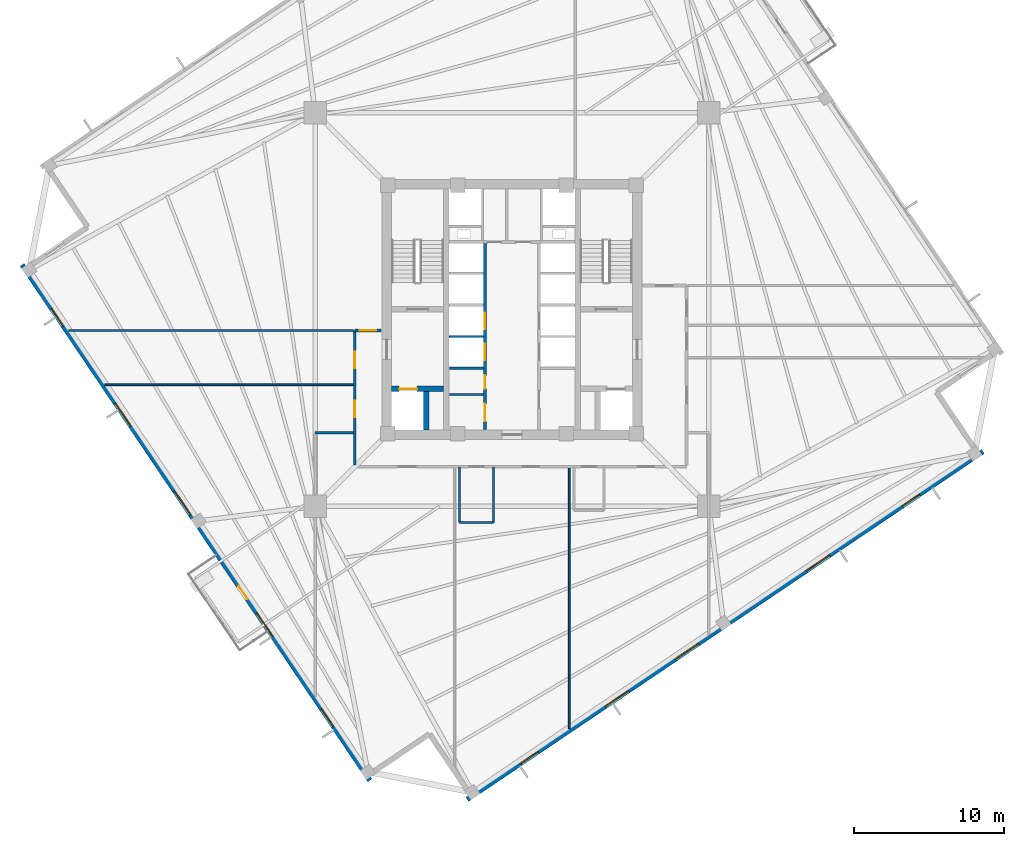
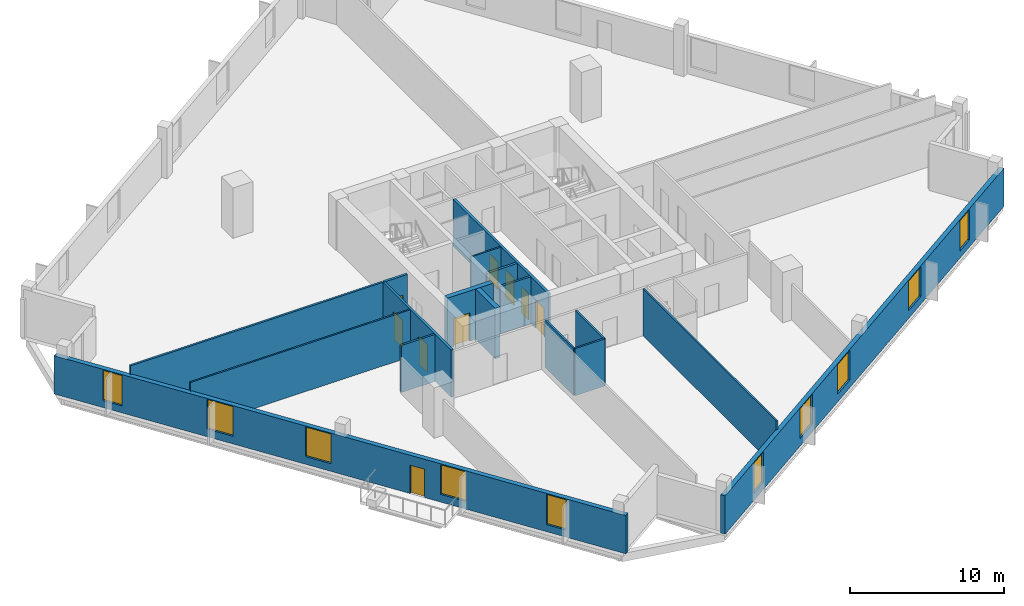
# One storey, part 3 of 9: 17 walls, 10 windows, 9 doors, 19 openings.
"""IFC4 building model written with IfcOpenShell, lengths in metres."""

from ifc_helpers import new_model, si_unit, direction, frame, frame_2d, origin, place, context, subcontext, project, spatial, rectangle, extrude, source, transform, mapped, material, layer, layer_set, type_object, element, fill, save


model = new_model("IFC4")

# Units and contexts
model_context = context("Model", 3, precision=1e-05, world=origin(), true_north=direction((0.0, 1.0)))
body_context = subcontext(model_context, "Body", "Model", "MODEL_VIEW")
ifc_project = project(units=[si_unit("LENGTHUNIT", "METRE"), si_unit("AREAUNIT", "SQUARE_METRE"), si_unit("VOLUMEUNIT", "CUBIC_METRE"), si_unit("PLANEANGLEUNIT", "RADIAN"), si_unit("MASSUNIT", "GRAM", prefix="KILO"), si_unit("THERMODYNAMICTEMPERATUREUNIT", "KELVIN")], contexts=[model_context])

# Site, building, storey
site_placement = place(None, origin())
site = spatial("IfcSite", under=ifc_project, at=site_placement, CompositionType="ELEMENT")
building_placement = place(site_placement, origin())
building = spatial("IfcBuilding", under=site, at=building_placement, Name="Kosmvard Interchange Tower", CompositionType="ELEMENT")
storey_placement = place(building_placement, frame((0.0, 0.0, 168.39990234375)))
storey = spatial("IfcBuildingStorey", under=building, at=storey_placement, Name="L40", CompositionType="ELEMENT", Elevation=168.39990234375)

# Walls
ifc_material_1 = material(Name="Acoustic gypsum partition system")
ifc_layer_1 = layer(ifc_material_1, 0.14990234375, Name="Acoustic gypsum partition system")
ifc_layer_set_1 = layer_set([ifc_layer_1], Name="Acoustic gypsum partition system")
wall_type_1 = type_object("IfcWallType", Name="Acoustic Suite & Meeting Partition 150", PredefinedType="PARTITIONING", material=ifc_layer_set_1)
wall_1_placement = place(storey_placement, frame((-29.482421875, -1.39990234375, 0.0), z_axis=(0.0, 0.0, 1.0), x_axis=(1.0, 0.0, 0.0)))
element("IfcWall", 1, at=wall_1_placement, inside=storey, type_object=wall_type_1, Name="L40 Room Partition 02.1", PredefinedType="PARTITIONING", context=body_context, shape_type="SweptSolid", body=[
    extrude(rectangle(XDim=18.9375, YDim=0.14990234375, at=frame_2d((9.46875, 0.0))), origin(), (0.0, 0.0, 1.0), 3.739990234375),
])
wall_2_placement = place(storey_placement, frame((-10.544921875, -8.199951171875, 0.0), z_axis=(0.0, 0.0, 1.0), x_axis=(-1.0, 0.0, 0.0)))
element("IfcWall", 2, at=wall_2_placement, inside=storey, type_object=wall_type_1, Name="L40 Room Partition 05.1", PredefinedType="PARTITIONING", context=body_context, shape_type="SweptSolid", body=[
    extrude(rectangle(XDim=2.5361328125, YDim=0.14990234375, at=frame_2d((1.26806640625, 0.0))), origin(), (0.0, 0.0, 1.0), 3.739990234375),
])
ifc_material_2 = material(Name="Fire-rated gypsum partition system")
ifc_layer_2 = layer(ifc_material_2, 0.159912109375, Name="Fire-rated gypsum partition system")
ifc_layer_set_2 = layer_set([ifc_layer_2], Name="Fire-rated gypsum partition system")
wall_type_2 = type_object("IfcWallType", Name="Core Compartment & Shuttle Lobby Partition 160", PredefinedType="PARTITIONING", material=ifc_layer_set_2)
wall_3_placement = place(storey_placement, frame((-4.169921875, -5.64990234375, 0.0), z_axis=(0.0, 0.0, 1.0), x_axis=(1.0, 0.0, 0.0)))
element("IfcWall", 3, at=wall_3_placement, inside=storey, type_object=wall_type_2, Name="L40 Reclaimed Split W", PredefinedType="PARTITIONING", context=body_context, shape_type="SweptSolid", body=[
    extrude(rectangle(XDim=2.280029296875, YDim=0.159912109375, at=frame_2d((1.14013671875, 0.0))), origin(), (0.0, 0.0, 1.0), 3.739990234375),
])

# Wall, openings, doors
ifc_layer_3 = layer(ifc_material_2, 0.179931640625, Name="Fire-rated gypsum partition system")
ifc_layer_set_3 = layer_set([ifc_layer_3], Name="Fire-rated gypsum partition system")
wall_type_3 = type_object("IfcWallType", Name="Corridor & Hotel Compartment Partition 180", PredefinedType="PARTITIONING", material=ifc_layer_set_3)
wall_4_placement = place(storey_placement, frame((-1.7900390625, -7.97998046875, 0.0), z_axis=(0.0, 0.0, 1.0), x_axis=(0.0, 1.0, 0.0)))
wall_4 = element("IfcWall", 4, at=wall_4_placement, inside=storey, type_object=wall_type_3, Name="L40 West Lift Bank Front Wall", PredefinedType="PARTITIONING", context=body_context, shape_type="SweptSolid", body=[
    extrude(rectangle(XDim=12.3798828125, YDim=0.179931640625, at=frame_2d((6.18994140625, 0.0))), origin(), (0.0, 0.0, 1.0), 3.739990234375),
])
opening_1_placement = place(wall_4_placement, frame((4.60009765625, 0.0, 0.0)))
opening_1 = element("IfcOpeningElement", 5, at=opening_1_placement, cuts=wall_4, Name="Opening LD-PL-M1-L40", PredefinedType="OPENING", context=body_context, shape_type="SweptSolid", body=[
    extrude(rectangle(XDim=1.10009765625, YDim=2.199951171875, at=frame_2d((0.550048828125, 1.10009765625))), frame((0.0, 0.10009765625, 0.0), z_axis=(0.0, -1.0, 0.0), x_axis=(1.0, 0.0, 0.0)), (0.0, 0.0, 1.0), 0.199951171875),
])
opening_2_placement = place(wall_4_placement, frame((6.659912109375, 0.0, 0.0)))
opening_2 = element("IfcOpeningElement", 6, at=opening_2_placement, cuts=wall_4, Name="Opening LD-PL-M2-L40", PredefinedType="OPENING", context=body_context, shape_type="SweptSolid", body=[
    extrude(rectangle(XDim=1.10009765625, YDim=2.199951171875, at=frame_2d((0.550048828125, 1.10009765625))), frame((0.0, 0.10009765625, 0.0), z_axis=(0.0, -1.0, 0.0), x_axis=(1.0, 0.0, 0.0)), (0.0, 0.0, 1.0), 0.199951171875),
])
opening_3_placement = place(wall_4_placement, frame((0.550048828125, 0.0, 0.0)))
opening_3 = element("IfcOpeningElement", 7, at=opening_3_placement, cuts=wall_4, Name="Opening L40-CD1", PredefinedType="OPENING", context=body_context, shape_type="SweptSolid", body=[
    extrude(rectangle(XDim=1.14990234375, YDim=2.25, at=frame_2d((0.574951171875, 1.125))), frame((0.0, 0.10009765625, 0.0), z_axis=(0.0, -1.0, 0.0), x_axis=(1.0, 0.0, 0.0)), (0.0, 0.0, 1.0), 0.199951171875),
])
opening_4_placement = place(wall_4_placement, frame((2.719970703125, 0.0, 0.0)))
opening_4 = element("IfcOpeningElement", 8, at=opening_4_placement, cuts=wall_4, Name="Opening L40-CD2", PredefinedType="OPENING", context=body_context, shape_type="SweptSolid", body=[
    extrude(rectangle(XDim=0.8798828125, YDim=2.10009765625, at=frame_2d((0.43994140625, 1.050048828125))), frame((0.0, 0.10009765625, 0.0), z_axis=(0.0, -1.0, 0.0), x_axis=(1.0, 0.0, 0.0)), (0.0, 0.0, 1.0), 0.199951171875),
])
ifc_material_3 = material(Name="Painted fire-rated steel leaf", Category="steel")
door_type_1 = type_object("IfcDoorType", Name="Plant & Riser Fire Door 1150x2250 EI60", OperationType="NOTDEFINED", PredefinedType="DOOR", material=ifc_material_3)
shared_shape_1 = source(origin(), body_context, "Body", "SweptSolid", [
    extrude(rectangle(XDim=1.14990234375, YDim=2.25, at=frame_2d((0.574951171875, 1.125))), frame((0.0, 0.02490234375, 0.0), z_axis=(0.0, -1.0, 0.0), x_axis=(1.0, 0.0, 0.0)), (0.0, 0.0, 1.0), 0.050048828125),
])
door_1_placement = place(opening_3_placement, origin())
door_1 = element("IfcDoor", 9, at=door_1_placement, inside=storey, type_object=door_type_1, Name="L40 Core Archive Door", OperationType="SINGLE_SWING_LEFT", OverallHeight=2.25, OverallWidth=1.14990234375, PredefinedType="DOOR", context=body_context, shape_type="MappedRepresentation", body=[
    mapped(shared_shape_1, transform((0.0, 0.0, 0.0), scale=1.0)),
])
fill(opening_3, door_1)
ifc_material_4 = material(Name="Brushed stainless steel sliding leaf", Category="steel")
door_type_2 = type_object("IfcDoorType", Name="Passenger Lift Sliding Landing Door 1100x2200 EI60", OperationType="DOUBLE_DOOR_SLIDING", PredefinedType="DOOR", material=ifc_material_4)
shared_shape_2 = source(origin(), body_context, "Body", "SweptSolid", [
    extrude(rectangle(XDim=1.10009765625, YDim=2.199951171875, at=frame_2d((0.550048828125, 1.10009765625))), frame((0.0, 0.02490234375, 0.0), z_axis=(0.0, -1.0, 0.0), x_axis=(1.0, 0.0, 0.0)), (0.0, 0.0, 1.0), 0.050048828125),
])
door_2_placement = place(opening_1_placement, frame((1.10009765625, 0.0, 0.0), z_axis=(0.0, 0.0, 1.0), x_axis=(-1.0, 0.0, 0.0)))
door_2 = element("IfcDoor", 10, at=door_2_placement, inside=storey, type_object=door_type_2, Name="Lift PL-M1 Landing Door L40", OperationType="DOUBLE_DOOR_SLIDING", OverallHeight=2.199951171875, OverallWidth=1.10009765625, PredefinedType="DOOR", context=body_context, shape_type="MappedRepresentation", body=[
    mapped(shared_shape_2, transform((0.0, 0.0, 0.0), scale=1.0)),
])
fill(opening_1, door_2)
door_3_placement = place(opening_2_placement, frame((1.10009765625, 0.0, 0.0), z_axis=(0.0, 0.0, 1.0), x_axis=(-1.0, 0.0, 0.0)))
door_3 = element("IfcDoor", 11, at=door_3_placement, inside=storey, type_object=door_type_2, Name="Lift PL-M2 Landing Door L40", OperationType="DOUBLE_DOOR_SLIDING", OverallHeight=2.199951171875, OverallWidth=1.10009765625, PredefinedType="DOOR", context=body_context, shape_type="MappedRepresentation", body=[
    mapped(shared_shape_2, transform((0.0, 0.0, 0.0), scale=1.0)),
])
fill(opening_2, door_3)
ifc_material_5 = material(Name="Painted fire-rated timber leaf", Category="wood")
door_type_3 = type_object("IfcDoorType", Name="Core Cupboard Fire Door 880x2100 EI30", OperationType="NOTDEFINED", PredefinedType="DOOR", material=ifc_material_5)
shared_shape_3 = source(origin(), body_context, "Body", "SweptSolid", [
    extrude(rectangle(XDim=0.8798828125, YDim=2.10009765625, at=frame_2d((0.43994140625, 1.050048828125))), frame((0.0, 0.02490234375, 0.0), z_axis=(0.0, -1.0, 0.0), x_axis=(1.0, 0.0, 0.0)), (0.0, 0.0, 1.0), 0.050048828125),
])
door_4_placement = place(opening_4_placement, origin())
door_4 = element("IfcDoor", 12, at=door_4_placement, inside=storey, type_object=door_type_3, Name="L40 Core Supplies Door", OperationType="SINGLE_SWING_RIGHT", OverallHeight=2.10009765625, OverallWidth=0.8798828125, PredefinedType="DOOR", context=body_context, shape_type="MappedRepresentation", body=[
    mapped(shared_shape_3, transform((0.0, 0.0, 0.0), scale=1.0)),
])
fill(opening_4, door_4)

wall_5_placement = place(storey_placement, frame((-10.449951171875, -10.35009765625, 0.0), z_axis=(0.0, 0.0, 1.0), x_axis=(0.0, 1.0, 0.0)))
wall_5 = element("IfcWall", 13, at=wall_5_placement, inside=storey, type_object=wall_type_3, Name="L40 Corridor Wall CW", PredefinedType="PARTITIONING", context=body_context, shape_type="SweptSolid", body=[
    extrude(rectangle(XDim=8.9501953125, YDim=0.179931640625, at=frame_2d((4.47509765625, 0.0))), origin(), (0.0, 0.0, 1.0), 3.739990234375),
])
opening_5_placement = place(wall_5_placement, frame((6.435546875, 0.0, 0.0)))
opening_5 = element("IfcOpeningElement", 14, at=opening_5_placement, cuts=wall_5, Name="Opening L40-D06", PredefinedType="OPENING", context=body_context, shape_type="SweptSolid", body=[
    extrude(rectangle(XDim=1.10009765625, YDim=2.199951171875, at=frame_2d((0.550048828125, 1.10009765625))), frame((0.0, 0.10009765625, 0.0), z_axis=(0.0, -1.0, 0.0), x_axis=(1.0, 0.0, 0.0)), (0.0, 0.0, 1.0), 0.199951171875),
])
opening_6_placement = place(wall_5_placement, frame((3.199951171875, 0.0, 0.0)))
opening_6 = element("IfcOpeningElement", 15, at=opening_6_placement, cuts=wall_5, Name="Opening L40-D07", PredefinedType="OPENING", context=body_context, shape_type="SweptSolid", body=[
    extrude(rectangle(XDim=1.10009765625, YDim=2.199951171875, at=frame_2d((0.550048828125, 1.10009765625))), frame((0.0, 0.10009765625, 0.0), z_axis=(0.0, -1.0, 0.0), x_axis=(1.0, 0.0, 0.0)), (0.0, 0.0, 1.0), 0.199951171875),
])
ifc_material_6 = material(Name="Engineered oak fire-rated timber", Category="wood")
door_type_4 = type_object("IfcDoorType", Name="Office Suite Entrance Door 1100x2200 FD30S", OperationType="NOTDEFINED", PredefinedType="DOOR", material=ifc_material_6)
door_5_placement = place(opening_5_placement, origin())
door_5 = element("IfcDoor", 16, at=door_5_placement, inside=storey, type_object=door_type_4, Name="L40 Secure Data Tape Store Door", OperationType="SINGLE_SWING_RIGHT", OverallHeight=2.199951171875, OverallWidth=1.10009765625, PredefinedType="DOOR", context=body_context, shape_type="MappedRepresentation", body=[
    mapped(shared_shape_2, transform((0.0, 0.0, 0.0), scale=1.0)),
])
fill(opening_5, door_5)
door_6_placement = place(opening_6_placement, origin())
door_6 = element("IfcDoor", 17, at=door_6_placement, inside=storey, type_object=door_type_4, Name="L40 Print Supply Store Door", OperationType="SINGLE_SWING_LEFT", OverallHeight=2.199951171875, OverallWidth=1.10009765625, PredefinedType="DOOR", context=body_context, shape_type="MappedRepresentation", body=[
    mapped(shared_shape_2, transform((0.0, 0.0, 0.0), scale=1.0)),
])
fill(opening_6, door_6)

# Wall, opening, door
wall_6_placement = place(storey_placement, frame((-10.449951171875, -1.39990234375, 0.0), z_axis=(0.0, 0.0, 1.0), x_axis=(1.0, 0.0, 0.0)))
wall_6 = element("IfcWall", 18, at=wall_6_placement, inside=storey, type_object=wall_type_3, Name="L40 Corridor Wall CNW", PredefinedType="PARTITIONING", context=body_context, shape_type="SweptSolid", body=[
    extrude(rectangle(XDim=1.75, YDim=0.179931640625, at=frame_2d((0.875, 0.0))), origin(), (0.0, 0.0, 1.0), 3.739990234375),
])
opening_7_placement = place(wall_6_placement, frame((0.324951171875, 0.0, 0.0)))
opening_7 = element("IfcOpeningElement", 19, at=opening_7_placement, cuts=wall_6, Name="Opening L40-D03", PredefinedType="OPENING", context=body_context, shape_type="SweptSolid", body=[
    extrude(rectangle(XDim=1.10009765625, YDim=2.199951171875, at=frame_2d((0.550048828125, 1.10009765625))), frame((0.0, 0.10009765625, 0.0), z_axis=(0.0, -1.0, 0.0), x_axis=(1.0, 0.0, 0.0)), (0.0, 0.0, 1.0), 0.199951171875),
])
door_7_placement = place(opening_7_placement, origin())
door_7 = element("IfcDoor", 20, at=door_7_placement, inside=storey, type_object=door_type_4, Name="L40 Trade Exchange Lecture Hall Door", OperationType="SINGLE_SWING_LEFT", OverallHeight=2.199951171875, OverallWidth=1.10009765625, PredefinedType="DOOR", context=body_context, shape_type="MappedRepresentation", body=[
    mapped(shared_shape_2, transform((0.0, 0.0, 0.0), scale=1.0)),
])
fill(opening_7, door_7)

# Wall, openings, windows
ifc_material_7 = material(Name="Precast concrete C45/55", Category="concrete")
ifc_layer_4 = layer(ifc_material_7, 0.340087890625, Name="Precast concrete C45/55")
ifc_layer_set_4 = layer_set([ifc_layer_4], Name="Precast concrete C45/55")
wall_type_4 = type_object("IfcWallType", Name="Mid Tower Precast Pier Wall 340 C45/55", PredefinedType="STANDARD", material=ifc_layer_set_4)
wall_7_placement = place(storey_placement, frame((-2.971923828125, -32.55810546875, 0.0), z_axis=(0.0, 0.0, 1.0), x_axis=(0.829036218961, 0.559194910251, 0.0)))
wall_7 = element("IfcWall", 21, at=wall_7_placement, inside=storey, type_object=wall_type_4, Name="L40 Precast Facade Wall F-S", PredefinedType="STANDARD", context=body_context, shape_type="SweptSolid", body=[
    extrude(rectangle(XDim=41.340087890625, YDim=0.340087890625, at=frame_2d((20.669921875, 0.0))), origin(), (0.0, 0.0, 1.0), 3.0400390625),
])
opening_8_placement = place(wall_7_placement, frame((4.2607421875, 0.0, 0.56005859375)))
opening_8 = element("IfcOpeningElement", 22, at=opening_8_placement, cuts=wall_7, Name="Opening L40-W01", PredefinedType="OPENING", context=body_context, shape_type="SweptSolid", body=[
    extrude(rectangle(XDim=1.39990234375, YDim=2.39990234375, at=frame_2d((0.699951171875, 1.199951171875))), frame((0.0, 0.18017578125, 0.0), z_axis=(0.0, -1.0, 0.0), x_axis=(1.0, 0.0, 0.0)), (0.0, 0.0, 1.0), 0.360107421875),
])
opening_9_placement = place(wall_7_placement, frame((11.063720703125, 0.0, 0.610107421875)))
opening_9 = element("IfcOpeningElement", 23, at=opening_9_placement, cuts=wall_7, Name="Opening L40-W02", PredefinedType="OPENING", context=body_context, shape_type="SweptSolid", body=[
    extrude(rectangle(XDim=1.85009765625, YDim=2.35009765625, at=frame_2d((0.925048828125, 1.175048828125))), frame((0.0, 0.18017578125, 0.0), z_axis=(0.0, -1.0, 0.0), x_axis=(1.0, 0.0, 0.0)), (0.0, 0.0, 1.0), 0.360107421875),
])
opening_10_placement = place(wall_7_placement, frame((16.668212890625, 0.0, 0.610107421875)))
opening_10 = element("IfcOpeningElement", 24, at=opening_10_placement, cuts=wall_7, Name="Opening L40-W03", PredefinedType="OPENING", context=body_context, shape_type="SweptSolid", body=[
    extrude(rectangle(XDim=1.85009765625, YDim=2.35009765625, at=frame_2d((0.925048828125, 1.175048828125))), frame((0.0, 0.18017578125, 0.0), z_axis=(0.0, -1.0, 0.0), x_axis=(1.0, 0.0, 0.0)), (0.0, 0.0, 1.0), 0.360107421875),
])
opening_11_placement = place(wall_7_placement, frame((27.186279296875, 0.0, 0.610107421875)))
opening_11 = element("IfcOpeningElement", 25, at=opening_11_placement, cuts=wall_7, Name="Opening L40-W04", PredefinedType="OPENING", context=body_context, shape_type="SweptSolid", body=[
    extrude(rectangle(XDim=1.85009765625, YDim=2.35009765625, at=frame_2d((0.925048828125, 1.175048828125))), frame((0.0, 0.18017578125, 0.0), z_axis=(0.0, -1.0, 0.0), x_axis=(1.0, 0.0, 0.0)), (0.0, 0.0, 1.0), 0.360107421875),
])
opening_12_placement = place(wall_7_placement, frame((34.852294921875, 0.0, 0.56005859375)))
opening_12 = element("IfcOpeningElement", 26, at=opening_12_placement, cuts=wall_7, Name="Opening L40-W05", PredefinedType="OPENING", context=body_context, shape_type="SweptSolid", body=[
    extrude(rectangle(XDim=1.39990234375, YDim=2.39990234375, at=frame_2d((0.699951171875, 1.199951171875))), frame((0.0, 0.18017578125, 0.0), z_axis=(0.0, -1.0, 0.0), x_axis=(1.0, 0.0, 0.0)), (0.0, 0.0, 1.0), 0.360107421875),
])
ifc_material_8 = material(Name="Low-E solar-control double glazing", Category="glass")
window_type_1 = type_object("IfcWindowType", Name="Notched Corner Feature Window 1400x2400", PartitioningType="SINGLE_PANEL", PredefinedType="WINDOW", material=ifc_material_8)
shared_shape_4 = source(origin(), body_context, "Body", "SweptSolid", [
    extrude(rectangle(XDim=1.39990234375, YDim=2.39990234375, at=frame_2d((0.699951171875, 1.199951171875))), frame((0.0, 0.030029296875, 0.0), z_axis=(0.0, -1.0, 0.0), x_axis=(1.0, 0.0, 0.0)), (0.0, 0.0, 1.0), 0.06005859375),
])
window_1_placement = place(opening_8_placement, origin())
window_1 = element("IfcWindow", 27, at=window_1_placement, inside=storey, type_object=window_type_1, Name="L40 Facade Punched Window 01", OverallHeight=2.39990234375, OverallWidth=1.39990234375, PartitioningType="SINGLE_PANEL", PredefinedType="WINDOW", context=body_context, shape_type="MappedRepresentation", body=[
    mapped(shared_shape_4, transform((0.0, 0.0, 0.0), scale=1.0)),
])
fill(opening_8, window_1)
window_2_placement = place(opening_12_placement, origin())
window_2 = element("IfcWindow", 28, at=window_2_placement, inside=storey, type_object=window_type_1, Name="L40 Facade Punched Window 05", OverallHeight=2.39990234375, OverallWidth=1.39990234375, PartitioningType="SINGLE_PANEL", PredefinedType="WINDOW", context=body_context, shape_type="MappedRepresentation", body=[
    mapped(shared_shape_4, transform((0.0, 0.0, 0.0), scale=1.0)),
])
fill(opening_12, window_2)
window_type_2 = type_object("IfcWindowType", Name="Zone 3 Office Punched Window 1850x2350", PartitioningType="SINGLE_PANEL", PredefinedType="WINDOW", material=ifc_material_8)
shared_shape_5 = source(origin(), body_context, "Body", "SweptSolid", [
    extrude(rectangle(XDim=1.85009765625, YDim=2.35009765625, at=frame_2d((0.925048828125, 1.175048828125))), frame((0.0, 0.030029296875, 0.0), z_axis=(0.0, -1.0, 0.0), x_axis=(1.0, 0.0, 0.0)), (0.0, 0.0, 1.0), 0.06005859375),
])
window_3_placement = place(opening_9_placement, origin())
window_3 = element("IfcWindow", 29, at=window_3_placement, inside=storey, type_object=window_type_2, Name="L40 Facade Punched Window 02", OverallHeight=2.35009765625, OverallWidth=1.85009765625, PartitioningType="SINGLE_PANEL", PredefinedType="WINDOW", context=body_context, shape_type="MappedRepresentation", body=[
    mapped(shared_shape_5, transform((0.0, 0.0, 0.0), scale=1.0)),
])
fill(opening_9, window_3)
window_4_placement = place(opening_10_placement, origin())
window_4 = element("IfcWindow", 30, at=window_4_placement, inside=storey, type_object=window_type_2, Name="L40 Facade Punched Window 03", OverallHeight=2.35009765625, OverallWidth=1.85009765625, PartitioningType="SINGLE_PANEL", PredefinedType="WINDOW", context=body_context, shape_type="MappedRepresentation", body=[
    mapped(shared_shape_5, transform((0.0, 0.0, 0.0), scale=1.0)),
])
fill(opening_10, window_4)
window_5_placement = place(opening_11_placement, origin())
window_5 = element("IfcWindow", 31, at=window_5_placement, inside=storey, type_object=window_type_2, Name="L40 Facade Punched Window 04", OverallHeight=2.35009765625, OverallWidth=1.85009765625, PartitioningType="SINGLE_PANEL", PredefinedType="WINDOW", context=body_context, shape_type="MappedRepresentation", body=[
    mapped(shared_shape_5, transform((0.0, 0.0, 0.0), scale=1.0)),
])
fill(opening_11, window_5)

# Wall, openings, door, windows
wall_8_placement = place(storey_placement, frame((-32.55810546875, 2.971923828125, 0.0), z_axis=(0.0, 0.0, 1.0), x_axis=(0.559194910251, -0.829036218961, 0.0)))
wall_8 = element("IfcWall", 32, at=wall_8_placement, inside=storey, type_object=wall_type_4, Name="L40 Precast Facade Wall F-W", PredefinedType="STANDARD", context=body_context, shape_type="SweptSolid", body=[
    extrude(rectangle(XDim=41.340087890625, YDim=0.340087890625, at=frame_2d((20.669921875, 0.0))), origin(), (0.0, 0.0, 1.0), 3.0400390625),
])
opening_13_placement = place(wall_8_placement, frame((25.7451171875, 0.0, 0.0)))
opening_13 = element("IfcOpeningElement", 33, at=opening_13_placement, cuts=wall_8, Name="Opening L40-BDW", PredefinedType="OPENING", context=body_context, shape_type="SweptSolid", body=[
    extrude(rectangle(XDim=1.050048828125, YDim=2.25, at=frame_2d((0.52490234375, 1.125))), frame((0.0, 0.18017578125, 0.0), z_axis=(0.0, -1.0, 0.0), x_axis=(1.0, 0.0, 0.0)), (0.0, 0.0, 1.0), 0.360107421875),
])
opening_14_placement = place(wall_8_placement, frame((3.5107421875, 0.0, 0.56005859375)))
opening_14 = element("IfcOpeningElement", 34, at=opening_14_placement, cuts=wall_8, Name="Opening L40-W16", PredefinedType="OPENING", context=body_context, shape_type="SweptSolid", body=[
    extrude(rectangle(XDim=1.39990234375, YDim=2.39990234375, at=frame_2d((0.699951171875, 1.199951171875))), frame((0.0, 0.18017578125, 0.0), z_axis=(0.0, -1.0, 0.0), x_axis=(1.0, 0.0, 0.0)), (0.0, 0.0, 1.0), 0.360107421875),
])
opening_15_placement = place(wall_8_placement, frame((11.063720703125, 0.0, 0.610107421875)))
opening_15 = element("IfcOpeningElement", 35, at=opening_15_placement, cuts=wall_8, Name="Opening L40-W17", PredefinedType="OPENING", context=body_context, shape_type="SweptSolid", body=[
    extrude(rectangle(XDim=1.85009765625, YDim=2.35009765625, at=frame_2d((0.925048828125, 1.175048828125))), frame((0.0, 0.18017578125, 0.0), z_axis=(0.0, -1.0, 0.0), x_axis=(1.0, 0.0, 0.0)), (0.0, 0.0, 1.0), 0.360107421875),
])
opening_16_placement = place(wall_8_placement, frame((18.168212890625, 0.0, 0.610107421875)))
opening_16 = element("IfcOpeningElement", 36, at=opening_16_placement, cuts=wall_8, Name="Opening L40-W18", PredefinedType="OPENING", context=body_context, shape_type="SweptSolid", body=[
    extrude(rectangle(XDim=1.85009765625, YDim=2.35009765625, at=frame_2d((0.925048828125, 1.175048828125))), frame((0.0, 0.18017578125, 0.0), z_axis=(0.0, -1.0, 0.0), x_axis=(1.0, 0.0, 0.0)), (0.0, 0.0, 1.0), 0.360107421875),
])
opening_17_placement = place(wall_8_placement, frame((27.936279296875, 0.0, 0.610107421875)))
opening_17 = element("IfcOpeningElement", 37, at=opening_17_placement, cuts=wall_8, Name="Opening L40-W19", PredefinedType="OPENING", context=body_context, shape_type="SweptSolid", body=[
    extrude(rectangle(XDim=1.85009765625, YDim=2.35009765625, at=frame_2d((0.925048828125, 1.175048828125))), frame((0.0, 0.18017578125, 0.0), z_axis=(0.0, -1.0, 0.0), x_axis=(1.0, 0.0, 0.0)), (0.0, 0.0, 1.0), 0.360107421875),
])
opening_18_placement = place(wall_8_placement, frame((35.602294921875, 0.0, 0.56005859375)))
opening_18 = element("IfcOpeningElement", 38, at=opening_18_placement, cuts=wall_8, Name="Opening L40-W20", PredefinedType="OPENING", context=body_context, shape_type="SweptSolid", body=[
    extrude(rectangle(XDim=1.39990234375, YDim=2.39990234375, at=frame_2d((0.699951171875, 1.199951171875))), frame((0.0, 0.18017578125, 0.0), z_axis=(0.0, -1.0, 0.0), x_axis=(1.0, 0.0, 0.0)), (0.0, 0.0, 1.0), 0.360107421875),
])
ifc_material_9 = material(Name="Anodised aluminium and safety glass", Category="aluminium")
door_type_5 = type_object("IfcDoorType", Name="Tree-Balcony Glazed Door 1050x2250", OperationType="NOTDEFINED", PredefinedType="DOOR", material=ifc_material_9)
shared_shape_6 = source(origin(), body_context, "Body", "SweptSolid", [
    extrude(rectangle(XDim=1.050048828125, YDim=2.25, at=frame_2d((0.52490234375, 1.125))), frame((0.0, 0.02490234375, 0.0), z_axis=(0.0, -1.0, 0.0), x_axis=(1.0, 0.0, 0.0)), (0.0, 0.0, 1.0), 0.050048828125),
])
door_8_placement = place(opening_13_placement, origin())
door_8 = element("IfcDoor", 39, at=door_8_placement, inside=storey, type_object=door_type_5, Name="L40 Tree-Balcony Door BAL-L40-W", OperationType="SINGLE_SWING_LEFT", OverallHeight=2.25, OverallWidth=1.050048828125, PredefinedType="DOOR", context=body_context, shape_type="MappedRepresentation", body=[
    mapped(shared_shape_6, transform((0.0, 0.0, 0.0), scale=1.0)),
])
fill(opening_13, door_8)
window_6_placement = place(opening_14_placement, origin())
window_6 = element("IfcWindow", 40, at=window_6_placement, inside=storey, type_object=window_type_1, Name="L40 Facade Punched Window 16", OverallHeight=2.39990234375, OverallWidth=1.39990234375, PartitioningType="SINGLE_PANEL", PredefinedType="WINDOW", context=body_context, shape_type="MappedRepresentation", body=[
    mapped(shared_shape_4, transform((0.0, 0.0, 0.0), scale=1.0)),
])
fill(opening_14, window_6)
window_7_placement = place(opening_18_placement, origin())
window_7 = element("IfcWindow", 41, at=window_7_placement, inside=storey, type_object=window_type_1, Name="L40 Facade Punched Window 20", OverallHeight=2.39990234375, OverallWidth=1.39990234375, PartitioningType="SINGLE_PANEL", PredefinedType="WINDOW", context=body_context, shape_type="MappedRepresentation", body=[
    mapped(shared_shape_4, transform((0.0, 0.0, 0.0), scale=1.0)),
])
fill(opening_18, window_7)
window_8_placement = place(opening_15_placement, origin())
window_8 = element("IfcWindow", 42, at=window_8_placement, inside=storey, type_object=window_type_2, Name="L40 Facade Punched Window 17", OverallHeight=2.35009765625, OverallWidth=1.85009765625, PartitioningType="SINGLE_PANEL", PredefinedType="WINDOW", context=body_context, shape_type="MappedRepresentation", body=[
    mapped(shared_shape_5, transform((0.0, 0.0, 0.0), scale=1.0)),
])
fill(opening_15, window_8)
window_9_placement = place(opening_16_placement, origin())
window_9 = element("IfcWindow", 43, at=window_9_placement, inside=storey, type_object=window_type_2, Name="L40 Facade Punched Window 18", OverallHeight=2.35009765625, OverallWidth=1.85009765625, PartitioningType="SINGLE_PANEL", PredefinedType="WINDOW", context=body_context, shape_type="MappedRepresentation", body=[
    mapped(shared_shape_5, transform((0.0, 0.0, 0.0), scale=1.0)),
])
fill(opening_16, window_9)
window_10_placement = place(opening_17_placement, origin())
window_10 = element("IfcWindow", 44, at=window_10_placement, inside=storey, type_object=window_type_2, Name="L40 Facade Punched Window 19", OverallHeight=2.35009765625, OverallWidth=1.85009765625, PartitioningType="SINGLE_PANEL", PredefinedType="WINDOW", context=body_context, shape_type="MappedRepresentation", body=[
    mapped(shared_shape_5, transform((0.0, 0.0, 0.0), scale=1.0)),
])
fill(opening_17, window_10)

# Walls
ifc_material_10 = material(Name="Gypsum board partition system")
ifc_layer_5 = layer(ifc_material_10, 0.1201171875, Name="Gypsum board partition system")
ifc_layer_set_5 = layer_set([ifc_layer_5], Name="Gypsum board partition system")
wall_type_5 = type_object("IfcWallType", Name="Office Cellular Partition 120", PredefinedType="PARTITIONING", material=ifc_layer_set_5)
wall_9_placement = place(storey_placement, frame((-27.05419921875, -5.0, 0.0), z_axis=(0.0, 0.0, 1.0), x_axis=(1.0, 0.0, 0.0)))
element("IfcWall", 45, at=wall_9_placement, inside=storey, type_object=wall_type_5, Name="L40 Room Partition 07.1", PredefinedType="PARTITIONING", context=body_context, shape_type="SweptSolid", body=[
    extrude(rectangle(XDim=16.50927734375, YDim=0.1201171875, at=frame_2d((8.254638671875, 0.0))), origin(), (0.0, 0.0, 1.0), 3.739990234375),
])
wall_10_placement = place(storey_placement, frame((3.800048828125, -27.86376953125, 0.0), z_axis=(0.0, 0.0, 1.0), x_axis=(0.0, 1.0, 0.0)))
element("IfcWall", 46, at=wall_10_placement, inside=storey, type_object=wall_type_5, Name="L40 Room Partition 09.1", PredefinedType="PARTITIONING", context=body_context, shape_type="SweptSolid", body=[
    extrude(rectangle(XDim=17.31884765625, YDim=0.1201171875, at=frame_2d((8.659423828125, 0.0))), origin(), (0.0, 0.0, 1.0), 3.739990234375),
])
ifc_material_11 = material(Name="Concrete blockwork masonry", Category="masonry")
ifc_layer_6 = layer(ifc_material_11, 0.179931640625, Name="Concrete blockwork masonry")
ifc_layer_set_6 = layer_set([ifc_layer_6], Name="Concrete blockwork masonry")
wall_type_6 = type_object("IfcWallType", Name="Riser & Lift Bank Divider Wall 180", PredefinedType="PARTITIONING", material=ifc_layer_set_6)
wall_11_placement = place(storey_placement, frame((-4.169921875, -3.89990234375, 0.0), z_axis=(0.0, 0.0, 1.0), x_axis=(1.0, 0.0, 0.0)))
element("IfcWall", 47, at=wall_11_placement, inside=storey, type_object=wall_type_6, Name="L40 West Bank Divider BD1", PredefinedType="PARTITIONING", context=body_context, shape_type="SweptSolid", body=[
    extrude(rectangle(XDim=2.280029296875, YDim=0.179931640625, at=frame_2d((1.14013671875, 0.0))), origin(), (0.0, 0.0, 1.0), 3.739990234375),
])
ifc_material_12 = material(Name="Fire-rated gypsum shaftwall system")
ifc_layer_7 = layer(ifc_material_12, 0.1201171875, Name="Fire-rated gypsum shaftwall system")
ifc_layer_set_7 = layer_set([ifc_layer_7], Name="Fire-rated gypsum shaftwall system")
wall_type_7 = type_object("IfcWallType", Name="Shaft & Riser Fire Partition 120 EI60", PredefinedType="PARTITIONING", material=ifc_layer_set_7)
wall_12_placement = place(storey_placement, frame((-4.159912109375, -1.800048828125, 0.0), z_axis=(0.0, 0.0, 1.0), x_axis=(1.0, 0.0, 0.0)))
element("IfcWall", 48, at=wall_12_placement, inside=storey, type_object=wall_type_7, Name="L40 Shaft Divider PL-M1", PredefinedType="PARTITIONING", context=body_context, shape_type="SweptSolid", body=[
    extrude(rectangle(XDim=2.260009765625, YDim=0.1201171875, at=frame_2d((1.1298828125, 0.0))), origin(), (0.0, 0.0, 1.0), 3.739990234375),
])

# Wall, opening, door
ifc_material_13 = material(Name="Concrete C60/75", Category="concrete")
ifc_layer_8 = layer(ifc_material_13, 0.360107421875, Name="Concrete C60/75")
ifc_layer_set_8 = layer_set([ifc_layer_8], Name="Concrete C60/75")
wall_type_8 = type_object("IfcWallType", Name="Stair & Lift Shaft Shear Wall 360 C60/75", PredefinedType="SHEAR", material=ifc_layer_set_8)
wall_13_placement = place(storey_placement, frame((-8.0, -5.280029296875, 0.0), z_axis=(0.0, 0.0, 1.0), x_axis=(1.0, 0.0, 0.0)))
wall_13 = element("IfcWall", 49, at=wall_13_placement, inside=storey, type_object=wall_type_8, Name="L40 Shaft Shear Wall SW-FF1", PredefinedType="SHEAR", context=body_context, shape_type="SweptSolid", body=[
    extrude(rectangle(XDim=3.4599609375, YDim=0.360107421875, at=frame_2d((1.72998046875, 0.0))), origin(), (0.0, 0.0, 1.0), 4.0),
])
opening_19_placement = place(wall_13_placement, frame((0.5, 0.0, 0.0)))
opening_19 = element("IfcOpeningElement", 50, at=opening_19_placement, cuts=wall_13, Name="Opening LD-FF-1-L40", PredefinedType="OPENING", context=body_context, shape_type="SweptSolid", body=[
    extrude(rectangle(XDim=1.199951171875, YDim=2.25, at=frame_2d((0.60009765625, 1.125))), frame((0.0, 0.18994140625, 0.0), z_axis=(0.0, -1.0, 0.0), x_axis=(1.0, 0.0, 0.0)), (0.0, 0.0, 1.0), 0.380126953125),
])
door_type_6 = type_object("IfcDoorType", Name="Firefighting Lift Sliding Landing Door 1200x2250 EI120", OperationType="DOUBLE_DOOR_SLIDING", PredefinedType="DOOR", material=ifc_material_4)
shared_shape_7 = source(origin(), body_context, "Body", "SweptSolid", [
    extrude(rectangle(XDim=1.199951171875, YDim=2.25, at=frame_2d((0.60009765625, 1.125))), frame((0.0, 0.02490234375, 0.0), z_axis=(0.0, -1.0, 0.0), x_axis=(1.0, 0.0, 0.0)), (0.0, 0.0, 1.0), 0.050048828125),
])
door_9_placement = place(opening_19_placement, origin())
door_9 = element("IfcDoor", 51, at=door_9_placement, inside=storey, type_object=door_type_6, Name="Lift FF-1 Landing Door L40", OperationType="DOUBLE_DOOR_SLIDING", OverallHeight=2.25, OverallWidth=1.199951171875, PredefinedType="DOOR", context=body_context, shape_type="MappedRepresentation", body=[
    mapped(shared_shape_7, transform((0.0, 0.0, 0.0), scale=1.0)),
])
fill(opening_19, door_9)

# Walls
wall_14_placement = place(storey_placement, frame((-5.7099609375, -8.0, 0.0), z_axis=(0.0, 0.0, 1.0), x_axis=(0.0, 1.0, 0.0)))
element("IfcWall", 52, at=wall_14_placement, inside=storey, type_object=wall_type_8, Name="L40 Shaft Shear Wall SW-SM1", PredefinedType="SHEAR", context=body_context, shape_type="SweptSolid", body=[
    extrude(rectangle(XDim=2.5400390625, YDim=0.360107421875, at=frame_2d((1.27001953125, 0.0))), origin(), (0.0, 0.0, 1.0), 4.0),
])
ifc_material_14 = material(Name="Moisture-resistant gypsum partition")
ifc_layer_9 = layer(ifc_material_14, 0.135009765625, Name="Moisture-resistant gypsum partition")
ifc_layer_set_9 = layer_set([ifc_layer_9], Name="Moisture-resistant gypsum partition")
wall_type_9 = type_object("IfcWallType", Name="Wet Room Moisture-Resistant Partition 135", PredefinedType="PARTITIONING", material=ifc_layer_set_9)
wall_15_placement = place(storey_placement, frame((-3.489013671875, -14.169921875, 0.0), z_axis=(0.0, 0.0, 1.0), x_axis=(1.0, 0.0, 0.0)))
element("IfcWall", 53, at=wall_15_placement, inside=storey, type_object=wall_type_9, Name="L40 Washroom Partition WC1-S", PredefinedType="PARTITIONING", context=body_context, shape_type="SweptSolid", body=[
    extrude(rectangle(XDim=2.25, YDim=0.135009765625, at=frame_2d((1.125, 0.0))), origin(), (0.0, 0.0, 1.0), 3.739990234375),
])
for number, where, z_axis, x_axis, name in (
    (54, (-1.239013671875, -14.169921875, 0.0), (0.0, 0.0, 1.0), (0.0, 1.0, 0.0), "L40 Washroom Partition WC1-E"),
    (55, (-3.489013671875, -14.169921875, 0.0), (0.0, 0.0, 1.0), (0.0, 1.0, 0.0), "L40 Washroom Partition WC1-W"),
):
    element("IfcWall", number, at=place(storey_placement, frame(where, z_axis=z_axis, x_axis=x_axis)), inside=storey, type_object=wall_type_9, Name=name, PredefinedType="PARTITIONING", context=body_context, shape_type="SweptSolid", body=[
        extrude(rectangle(XDim=3.699951171875, YDim=0.135009765625, at=frame_2d((1.85009765625, 0.0))), origin(), (0.0, 0.0, 1.0), 3.739990234375),
    ])

save(model, "model.ifc")
